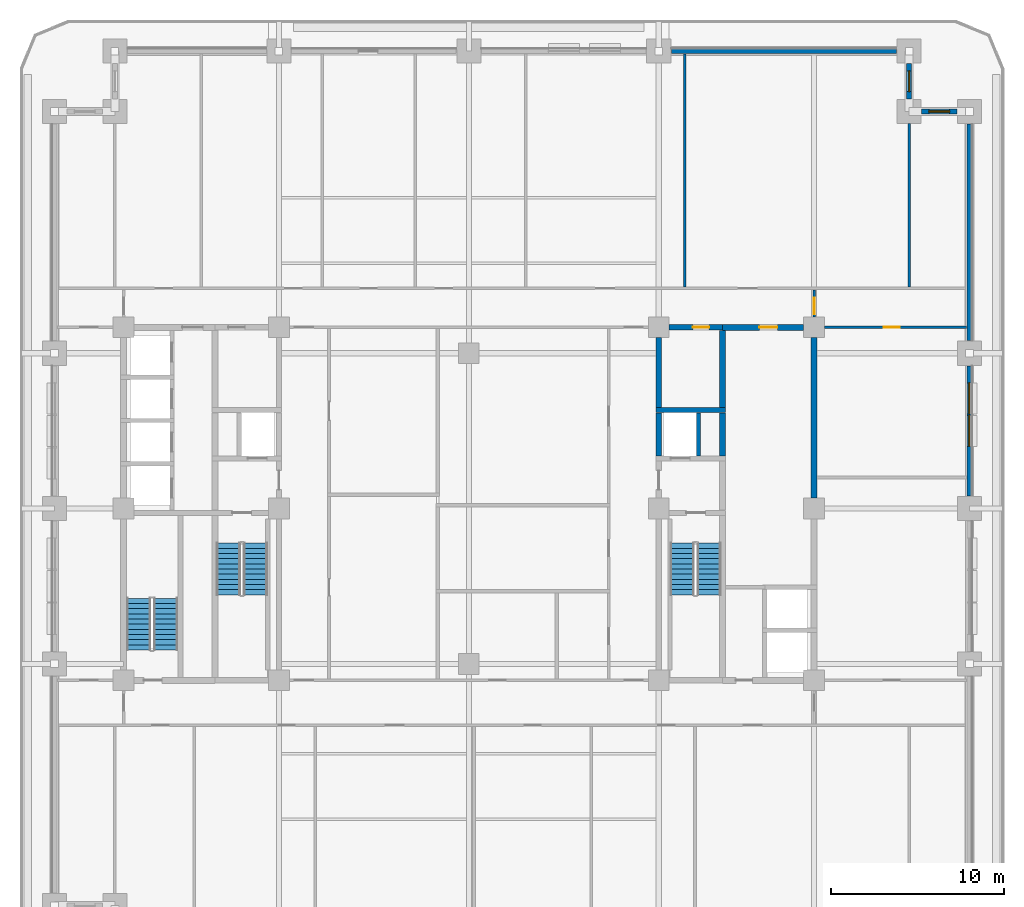
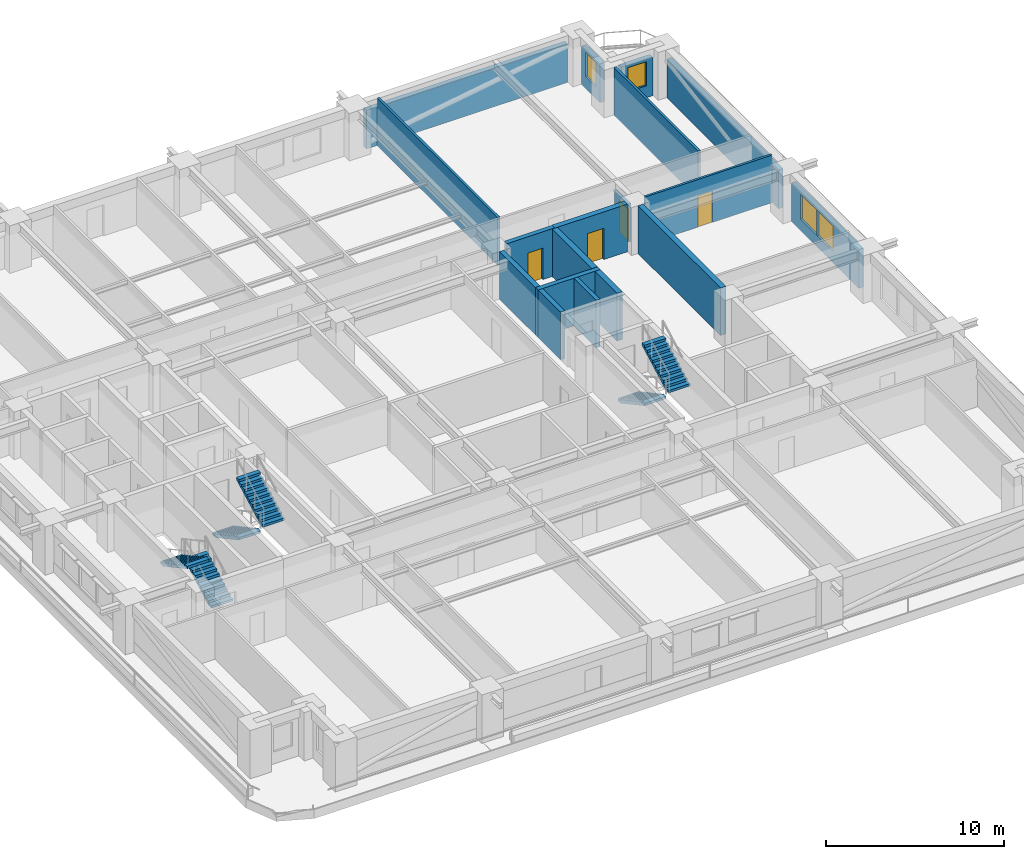
# One storey, part 6 of 14: 18 walls, 6 stair flights, 4 doors, 4 windows, 8 openings, 3 elements without a shape of their own.
"""IFC4 building model written with IfcOpenShell, lengths in metres."""

from ifc_helpers import new_model, si_unit, direction, frame, frame_2d, origin, place, context, subcontext, project, spatial, polyline, rectangle, outline, extrude, material, layer, layer_set, type_object, element, fill, aggregate, save


model = new_model("IFC4")

# Units and contexts
model_context = context("Model", 3, precision=1e-05, world=origin(), true_north=direction((0.0, 1.0)))
body_context = subcontext(model_context, "Body", "Model", "MODEL_VIEW")
ifc_project = project(units=[si_unit("LENGTHUNIT", "METRE"), si_unit("AREAUNIT", "SQUARE_METRE"), si_unit("VOLUMEUNIT", "CUBIC_METRE"), si_unit("PLANEANGLEUNIT", "RADIAN"), si_unit("MASSUNIT", "GRAM", prefix="KILO")], contexts=[model_context])

# Site, building, storey
site_placement = place(None, origin())
site = spatial("IfcSite", under=ifc_project, at=site_placement, CompositionType="ELEMENT")
building_placement = place(site_placement, origin())
building = spatial("IfcBuilding", under=site, at=building_placement, Name="Zulmaris Gate Convention Tower", CompositionType="ELEMENT")
storey_placement = place(building_placement, frame((0.0, 0.0, 30.77001953125)))
storey = spatial("IfcBuildingStorey", under=building, at=storey_placement, Name="L06", CompositionType="ELEMENT", Elevation=30.77001953125)

# Walls
ifc_material_1 = material(Name="Concrete C50/60", Category="concrete")
ifc_layer_1 = layer(ifc_material_1, 0.25, Name="Concrete C50/60")
ifc_layer_set_1 = layer_set([ifc_layer_1], Name="Concrete C50/60")
wall_type_1 = type_object("IfcWallType", Name="CORE-250", PredefinedType="SOLIDWALL", material=ifc_layer_set_1)
wall_1_placement = place(storey_placement, frame((13.300048828125, 3.052001953125, 0.0), z_axis=(0.0, 0.0, 1.0), x_axis=(0.0, 1.0, 0.0)))
element("IfcWall", 1, at=wall_1_placement, inside=storey, type_object=wall_type_1, Name="WL-L06-058", PredefinedType="SOLIDWALL", context=body_context, shape_type="SweptSolid", body=[
    extrude(rectangle(XDim=2.49609375, YDim=0.25, at=frame_2d((1.248046875, 0.0))), origin(), (0.0, 0.0, 1.0), 3.27001953125),
])
ifc_layer_2 = layer(ifc_material_1, 0.300048828125, Name="Concrete C50/60")
ifc_layer_set_2 = layer_set([ifc_layer_2], Name="Concrete C50/60")
wall_type_2 = type_object("IfcWallType", Name="CORE-300", PredefinedType="SHEAR", material=ifc_layer_set_2)
wall_2_placement = place(storey_placement, frame((10.85009765625, 5.699951171875, 0.0), z_axis=(0.0, 0.0, 1.0), x_axis=(1.0, 0.0, 0.0)))
element("IfcWall", 2, at=wall_2_placement, inside=storey, type_object=wall_type_2, Name="WL-L06-014", PredefinedType="SHEAR", context=body_context, shape_type="SweptSolid", body=[
    extrude(rectangle(XDim=4.02490234375, YDim=0.300048828125, at=frame_2d((2.012451171875, 0.0))), origin(), (0.0, 0.0, 1.0), 3.27001953125),
])

# Wall, opening, door
wall_3_placement = place(storey_placement, frame((11.60400390625, 10.5, 0.0), z_axis=(0.0, 0.0, 1.0), x_axis=(1.0, 0.0, 0.0)))
wall_3 = element("IfcWall", 3, at=wall_3_placement, inside=storey, type_object=wall_type_2, Name="WL-L06-018", PredefinedType="SHEAR", context=body_context, shape_type="SweptSolid", body=[
    extrude(rectangle(XDim=3.095947265625, YDim=0.300048828125, at=frame_2d((1.5478515625, 0.0))), origin(), (0.0, 0.0, 1.0), 3.27001953125),
])
opening_1_placement = place(wall_3_placement, frame((1.37109375, 0.0, 0.0)))
opening_1 = element("IfcOpeningElement", 4, at=opening_1_placement, cuts=wall_3, Name="Opening D-11", PredefinedType="OPENING", context=body_context, shape_type="SweptSolid", body=[
    extrude(rectangle(XDim=0.949951171875, YDim=2.14990234375, at=frame_2d((0.47509765625, 1.074951171875))), frame((0.0, 0.16015625, 0.0), z_axis=(0.0, -1.0, 0.0), x_axis=(1.0, 0.0, 0.0)), (0.0, 0.0, 1.0), 0.320068359375),
])
ifc_material_2 = material(Name="Fire-Rated Timber", Category="wood")
door_type_1 = type_object("IfcDoorType", Name="DR-950-FD", OperationType="NOTDEFINED", PredefinedType="DOOR", material=ifc_material_2)
door_1_placement = place(opening_1_placement, origin())
door_1 = element("IfcDoor", 5, at=door_1_placement, inside=storey, type_object=door_type_1, Name="L06 Core Cleaners Store Door 08", OperationType="SINGLE_SWING_LEFT", OverallHeight=2.14990234375, OverallWidth=0.949951171875, PredefinedType="DOOR", context=body_context, shape_type="SweptSolid", body=[
    extrude(rectangle(XDim=0.949951171875, YDim=2.14990234375, at=frame_2d((0.47509765625, 1.074951171875))), frame((0.0, 0.02490234375, 0.0), z_axis=(0.0, -1.0, 0.0), x_axis=(1.0, 0.0, 0.0)), (0.0, 0.0, 1.0), 0.050048828125),
])
fill(opening_1, door_1)

# Walls
wall_4_placement = place(storey_placement, frame((11.0, 3.052001953125, 0.0), z_axis=(0.0, 0.0, 1.0), x_axis=(0.0, 1.0, 0.0)))
element("IfcWall", 6, at=wall_4_placement, inside=storey, type_object=wall_type_2, Name="WL-L06-055", PredefinedType="SHEAR", context=body_context, shape_type="SweptSolid", body=[
    extrude(rectangle(XDim=2.49609375, YDim=0.300048828125, at=frame_2d((1.248046875, 0.0))), origin(), (0.0, 0.0, 1.0), 3.27001953125),
])
wall_5_placement = place(storey_placement, frame((11.0, 5.85205078125, 0.0), z_axis=(0.0, 0.0, 1.0), x_axis=(0.0, 1.0, 0.0)))
element("IfcWall", 7, at=wall_5_placement, inside=storey, type_object=wall_type_2, Name="WL-L06-056", PredefinedType="SHEAR", context=body_context, shape_type="SweptSolid", body=[
    extrude(rectangle(XDim=4.0439453125, YDim=0.300048828125, at=frame_2d((2.02197265625, 0.0))), origin(), (0.0, 0.0, 1.0), 3.27001953125),
])

# Wall, opening, door
ifc_material_3 = material(Name="Concrete C55/67", Category="concrete")
ifc_layer_3 = layer(ifc_material_3, 0.35009765625, Name="Concrete C55/67")
ifc_layer_set_3 = layer_set([ifc_layer_3], Name="Concrete C55/67")
wall_type_3 = type_object("IfcWallType", Name="CORE-350", PredefinedType="SHEAR", material=ifc_layer_set_3)
wall_6_placement = place(storey_placement, frame((14.699951171875, 10.5, 0.0), z_axis=(0.0, 0.0, 1.0), x_axis=(1.0, 0.0, 0.0)))
wall_6 = element("IfcWall", 8, at=wall_6_placement, inside=storey, type_object=wall_type_3, Name="WL-L06-019", PredefinedType="SHEAR", context=body_context, shape_type="SweptSolid", body=[
    extrude(rectangle(XDim=4.696044921875, YDim=0.35009765625, at=frame_2d((2.34814453125, 0.0))), origin(), (0.0, 0.0, 1.0), 3.27001953125),
])
opening_2_placement = place(wall_6_placement, frame((2.125, 0.0, 0.0)))
opening_2 = element("IfcOpeningElement", 9, at=opening_2_placement, cuts=wall_6, Name="Opening D-09", PredefinedType="OPENING", context=body_context, shape_type="SweptSolid", body=[
    extrude(rectangle(XDim=1.050048828125, YDim=2.14990234375, at=frame_2d((0.52490234375, 1.074951171875))), frame((0.0, 0.18505859375, 0.0), z_axis=(0.0, -1.0, 0.0), x_axis=(1.0, 0.0, 0.0)), (0.0, 0.0, 1.0), 0.3701171875),
])
ifc_material_4 = material(Name="Fire-Rated Steel", Category="steel")
door_type_2 = type_object("IfcDoorType", Name="DR-1050-FD", OperationType="NOTDEFINED", PredefinedType="DOOR", material=ifc_material_4)
door_2_placement = place(opening_2_placement, origin())
door_2 = element("IfcDoor", 10, at=door_2_placement, inside=storey, type_object=door_type_2, Name="L06 East Comms Room Door 16", OperationType="SINGLE_SWING_LEFT", OverallHeight=2.14990234375, OverallWidth=1.050048828125, PredefinedType="DOOR", context=body_context, shape_type="SweptSolid", body=[
    extrude(rectangle(XDim=1.050048828125, YDim=2.14990234375, at=frame_2d((0.52490234375, 1.074951171875))), frame((0.0, 0.02490234375, 0.0), z_axis=(0.0, -1.0, 0.0), x_axis=(1.0, 0.0, 0.0)), (0.0, 0.0, 1.0), 0.050048828125),
])
fill(opening_2, door_2)

# Walls
wall_7_placement = place(storey_placement, frame((14.699951171875, 3.052001953125, 0.0), z_axis=(0.0, 0.0, 1.0), x_axis=(0.0, 1.0, 0.0)))
element("IfcWall", 11, at=wall_7_placement, inside=storey, type_object=wall_type_3, Name="WL-L06-061", PredefinedType="SHEAR", context=body_context, shape_type="SweptSolid", body=[
    extrude(rectangle(XDim=2.49609375, YDim=0.35009765625, at=frame_2d((1.248046875, 0.0))), origin(), (0.0, 0.0, 1.0), 3.27001953125),
])
wall_8_placement = place(storey_placement, frame((14.699951171875, 5.85205078125, 0.0), z_axis=(0.0, 0.0, 1.0), x_axis=(0.0, 1.0, 0.0)))
element("IfcWall", 12, at=wall_8_placement, inside=storey, type_object=wall_type_3, Name="WL-L06-062", PredefinedType="SHEAR", context=body_context, shape_type="SweptSolid", body=[
    extrude(rectangle(XDim=4.470947265625, YDim=0.35009765625, at=frame_2d((2.2353515625, 0.0))), origin(), (0.0, 0.0, 1.0), 3.27001953125),
])
wall_9_placement = place(storey_placement, frame((20.0, 0.60400390625, 0.0), z_axis=(0.0, 0.0, 1.0), x_axis=(0.0, 1.0, 0.0)))
element("IfcWall", 13, at=wall_9_placement, inside=storey, type_object=wall_type_3, Name="WL-L06-067S1", PredefinedType="SHEAR", context=body_context, shape_type="SweptSolid", body=[
    extrude(rectangle(XDim=9.2919921875, YDim=0.35009765625, at=frame_2d((4.64599609375, 0.0))), origin(), (0.0, 0.0, 1.0), 3.27001953125),
])

# Wall, opening, door
ifc_material_5 = material(Name="Gypsum Metal Stud Partition")
ifc_layer_4 = layer(ifc_material_5, 0.14990234375, Name="Gypsum Metal Stud Partition")
ifc_layer_set_4 = layer_set([ifc_layer_4], Name="Gypsum Metal Stud Partition")
wall_type_4 = type_object("IfcWallType", Name="PART-150", PredefinedType="PARTITIONING", material=ifc_layer_set_4)
wall_10_placement = place(storey_placement, frame((20.60595703125, 10.5, 0.0), z_axis=(0.0, 0.0, 1.0), x_axis=(1.0, 0.0, 0.0)))
wall_10 = element("IfcWall", 14, at=wall_10_placement, inside=storey, type_object=wall_type_4, Name="WL-L06-031", PredefinedType="PARTITIONING", context=body_context, shape_type="SweptSolid", body=[
    extrude(rectangle(XDim=8.22900390625, YDim=0.14990234375, at=frame_2d((4.114501953125, 0.0))), origin(), (0.0, 0.0, 1.0), 3.27001953125),
])
opening_3_placement = place(wall_10_placement, frame((3.4189453125, 0.0, 0.0)))
opening_3 = element("IfcOpeningElement", 15, at=opening_3_placement, cuts=wall_10, Name="Opening D-11", PredefinedType="OPENING", context=body_context, shape_type="SweptSolid", body=[
    extrude(rectangle(XDim=0.949951171875, YDim=2.14990234375, at=frame_2d((0.47509765625, 1.074951171875))), frame((0.0, 0.0849609375, 0.0), z_axis=(0.0, -1.0, 0.0), x_axis=(1.0, 0.0, 0.0)), (0.0, 0.0, 1.0), 0.169921875),
])
door_3_placement = place(opening_3_placement, origin())
door_3 = element("IfcDoor", 16, at=door_3_placement, inside=storey, type_object=door_type_1, Name="L06 NE Partner Door 45", OperationType="SINGLE_SWING_RIGHT", OverallHeight=2.14990234375, OverallWidth=0.949951171875, PredefinedType="DOOR", context=body_context, shape_type="SweptSolid", body=[
    extrude(rectangle(XDim=0.949951171875, YDim=2.14990234375, at=frame_2d((0.47509765625, 1.074951171875))), frame((0.0, 0.02490234375, 0.0), z_axis=(0.0, -1.0, 0.0), x_axis=(1.0, 0.0, 0.0)), (0.0, 0.0, 1.0), 0.050048828125),
])
fill(opening_3, door_3)

# Wall
wall_11_placement = place(storey_placement, frame((12.5, 12.827880859375, 0.0), z_axis=(0.0, 0.0, 1.0), x_axis=(0.0, 1.0, 0.0)))
element("IfcWall", 17, at=wall_11_placement, inside=storey, type_object=wall_type_4, Name="WL-L06-090", PredefinedType="PARTITIONING", context=body_context, shape_type="SweptSolid", body=[
    extrude(rectangle(XDim=13.507080078125, YDim=0.14990234375, at=frame_2d((6.75341796875, 0.0))), origin(), (0.0, 0.0, 1.0), 3.27001953125),
])

# Wall, opening, door
wall_12_placement = place(storey_placement, frame((20.0, 11.10595703125, 0.0), z_axis=(0.0, 0.0, 1.0), x_axis=(0.0, 1.0, 0.0)))
wall_12 = element("IfcWall", 18, at=wall_12_placement, inside=storey, type_object=wall_type_4, Name="WL-L06-093", PredefinedType="PARTITIONING", context=body_context, shape_type="SweptSolid", body=[
    extrude(rectangle(XDim=1.566162109375, YDim=0.14990234375, at=frame_2d((0.783203125, 0.0))), origin(), (0.0, 0.0, 1.0), 2.610107421875),
])
opening_4_placement = place(wall_12_placement, frame((0.14990234375, 0.0, 0.0)))
opening_4 = element("IfcOpeningElement", 19, at=opening_4_placement, cuts=wall_12, Name="Opening D-11", PredefinedType="OPENING", context=body_context, shape_type="SweptSolid", body=[
    extrude(rectangle(XDim=0.949951171875, YDim=2.14990234375, at=frame_2d((0.47509765625, 1.074951171875))), frame((0.0, 0.0849609375, 0.0), z_axis=(0.0, -1.0, 0.0), x_axis=(1.0, 0.0, 0.0)), (0.0, 0.0, 1.0), 0.169921875),
])
door_4_placement = place(opening_4_placement, origin())
door_4 = element("IfcDoor", 20, at=door_4_placement, inside=storey, type_object=door_type_1, Name="L06 NE Spur Door 43", OperationType="SINGLE_SWING_RIGHT", OverallHeight=2.14990234375, OverallWidth=0.949951171875, PredefinedType="DOOR", context=body_context, shape_type="SweptSolid", body=[
    extrude(rectangle(XDim=0.949951171875, YDim=2.14990234375, at=frame_2d((0.47509765625, 1.074951171875))), frame((0.0, 0.02490234375, 0.0), z_axis=(0.0, -1.0, 0.0), x_axis=(1.0, 0.0, 0.0)), (0.0, 0.0, 1.0), 0.050048828125),
])
fill(opening_4, door_4)

# Wall
wall_13_placement = place(storey_placement, frame((25.5, 12.827880859375, 0.0), z_axis=(0.0, 0.0, 1.0), x_axis=(0.0, 1.0, 0.0)))
element("IfcWall", 21, at=wall_13_placement, inside=storey, type_object=wall_type_4, Name="WL-L06-095", PredefinedType="PARTITIONING", context=body_context, shape_type="SweptSolid", body=[
    extrude(rectangle(XDim=9.466064453125, YDim=0.14990234375, at=frame_2d((4.73291015625, 0.0))), origin(), (0.0, 0.0, 1.0), 3.27001953125),
])

# Wall, opening, window
ifc_material_6 = material(Name="Precast concrete C40/50", Category="concrete")
ifc_layer_5 = layer(ifc_material_6, 0.300048828125, Name="Precast concrete C40/50")
ifc_layer_set_5 = layer_set([ifc_layer_5], Name="Precast concrete C40/50")
wall_type_5 = type_object("IfcWallType", Name="PRECAST-PIER-300", PredefinedType="STANDARD", material=ifc_layer_set_5)
wall_14_placement = place(storey_placement, frame((28.27001953125, 23.0, 0.0), z_axis=(0.0, 0.0, 1.0), x_axis=(-1.0, 0.0, 0.0)))
wall_14 = element("IfcWall", 22, at=wall_14_placement, inside=storey, type_object=wall_type_5, Name="EW-L06-NOTCH-NE1_0", PredefinedType="STANDARD", context=body_context, shape_type="SweptSolid", body=[
    extrude(rectangle(XDim=2.0400390625, YDim=0.300048828125, at=frame_2d((1.02001953125, 0.0))), origin(), (0.0, 0.0, 1.0), 2.662109375),
])
opening_5_placement = place(wall_14_placement, frame((0.419921875, 0.0, 0.820068359375)))
opening_5 = element("IfcOpeningElement", 23, at=opening_5_placement, cuts=wall_14, Name="Opening W-04", PredefinedType="OPENING", context=body_context, shape_type="SweptSolid", body=[
    extrude(rectangle(XDim=1.199951171875, YDim=1.64990234375, at=frame_2d((0.60009765625, 0.824951171875))), frame((0.0, 0.16015625, 0.0), z_axis=(0.0, -1.0, 0.0), x_axis=(1.0, 0.0, 0.0)), (0.0, 0.0, 1.0), 0.320068359375),
])
ifc_material_7 = material(Name="Low-E Laminated Double Glazing in Aluminium Frame", Category="aluminium")
window_type_1 = type_object("IfcWindowType", Name="WIN-1200x2100", PartitioningType="SINGLE_PANEL", PredefinedType="WINDOW", material=ifc_material_7)
window_1_placement = place(opening_5_placement, origin())
window_1 = element("IfcWindow", 24, at=window_1_placement, inside=storey, type_object=window_type_1, Name="WN-EW-L06-NOTCH-NE1_0", OverallHeight=1.64990234375, OverallWidth=1.199951171875, PartitioningType="SINGLE_PANEL", PredefinedType="WINDOW", context=body_context, shape_type="SweptSolid", body=[
    extrude(rectangle(XDim=1.199951171875, YDim=1.64990234375, at=frame_2d((0.60009765625, 0.824951171875))), frame((0.0, 0.030029296875, 0.0), z_axis=(0.0, -1.0, 0.0), x_axis=(1.0, 0.0, 0.0)), (0.0, 0.0, 1.0), 0.06005859375),
])
fill(opening_5, window_1)

wall_15_placement = place(storey_placement, frame((25.5, 23.72998046875, 0.0), z_axis=(0.0, 0.0, 1.0), x_axis=(0.0, 1.0, 0.0)))
wall_15 = element("IfcWall", 25, at=wall_15_placement, inside=storey, type_object=wall_type_5, Name="EW-L06-NOTCH-NE2_0", PredefinedType="STANDARD", context=body_context, shape_type="SweptSolid", body=[
    extrude(rectangle(XDim=2.0400390625, YDim=0.300048828125, at=frame_2d((1.02001953125, 0.0))), origin(), (0.0, 0.0, 1.0), 2.662109375),
])
opening_6_placement = place(wall_15_placement, frame((0.419921875, 0.0, 0.820068359375)))
opening_6 = element("IfcOpeningElement", 26, at=opening_6_placement, cuts=wall_15, Name="Opening W-04", PredefinedType="OPENING", context=body_context, shape_type="SweptSolid", body=[
    extrude(rectangle(XDim=1.199951171875, YDim=1.64990234375, at=frame_2d((0.60009765625, 0.824951171875))), frame((0.0, 0.16015625, 0.0), z_axis=(0.0, -1.0, 0.0), x_axis=(1.0, 0.0, 0.0)), (0.0, 0.0, 1.0), 0.320068359375),
])
window_2_placement = place(opening_6_placement, origin())
window_2 = element("IfcWindow", 27, at=window_2_placement, inside=storey, type_object=window_type_1, Name="WN-EW-L06-NOTCH-NE2_0", OverallHeight=1.64990234375, OverallWidth=1.199951171875, PartitioningType="SINGLE_PANEL", PredefinedType="WINDOW", context=body_context, shape_type="SweptSolid", body=[
    extrude(rectangle(XDim=1.199951171875, YDim=1.64990234375, at=frame_2d((0.60009765625, 0.824951171875))), frame((0.0, 0.030029296875, 0.0), z_axis=(0.0, -1.0, 0.0), x_axis=(1.0, 0.0, 0.0)), (0.0, 0.0, 1.0), 0.06005859375),
])
fill(opening_6, window_2)

# Wall
wall_16_placement = place(storey_placement, frame((24.77001953125, 26.5, 0.0), z_axis=(0.0, 0.0, 1.0), x_axis=(-1.0, 0.0, 0.0)))
element("IfcWall", 28, at=wall_16_placement, inside=storey, type_object=wall_type_5, Name="EW-L06-N-3_0", PredefinedType="STANDARD", context=body_context, shape_type="SweptSolid", body=[
    extrude(rectangle(XDim=13.0400390625, YDim=0.300048828125, at=frame_2d((6.52001953125, 0.0))), origin(), (0.0, 0.0, 1.0), 2.662109375),
])

# Wall, openings, windows
wall_17_placement = place(storey_placement, frame((29.0, 0.72998046875, 0.0), z_axis=(0.0, 0.0, 1.0), x_axis=(0.0, 1.0, 0.0)))
wall_17 = element("IfcWall", 29, at=wall_17_placement, inside=storey, type_object=wall_type_5, Name="EW-L06-E-2_0", PredefinedType="STANDARD", context=body_context, shape_type="SweptSolid", body=[
    extrude(rectangle(XDim=7.5400390625, YDim=0.300048828125, at=frame_2d((3.77001953125, 0.0))), origin(), (0.0, 0.0, 1.0), 2.662109375),
])
opening_7_placement = place(wall_17_placement, frame((2.8701171875, 0.0, 0.780029296875)))
opening_7 = element("IfcOpeningElement", 30, at=opening_7_placement, cuts=wall_17, Name="Opening W-02", PredefinedType="OPENING", context=body_context, shape_type="SweptSolid", body=[
    extrude(rectangle(XDim=1.800048828125, YDim=1.719970703125, at=frame_2d((0.89990234375, 0.85986328125))), frame((0.0, 0.16015625, 0.0), z_axis=(0.0, -1.0, 0.0), x_axis=(1.0, 0.0, 0.0)), (0.0, 0.0, 1.0), 0.320068359375),
])
opening_8_placement = place(wall_17_placement, frame((4.7548828125, 0.0, 0.780029296875)))
opening_8 = element("IfcOpeningElement", 31, at=opening_8_placement, cuts=wall_17, Name="Opening W-02", PredefinedType="OPENING", context=body_context, shape_type="SweptSolid", body=[
    extrude(rectangle(XDim=1.800048828125, YDim=1.719970703125, at=frame_2d((0.89990234375, 0.85986328125))), frame((0.0, 0.16015625, 0.0), z_axis=(0.0, -1.0, 0.0), x_axis=(1.0, 0.0, 0.0)), (0.0, 0.0, 1.0), 0.320068359375),
])
window_type_2 = type_object("IfcWindowType", Name="WIN-1800x2200", PartitioningType="SINGLE_PANEL", PredefinedType="WINDOW", material=ifc_material_7)
window_3_placement = place(opening_7_placement, origin())
window_3 = element("IfcWindow", 32, at=window_3_placement, inside=storey, type_object=window_type_2, Name="WN-EW-L06-E-2_0-2", OverallHeight=1.719970703125, OverallWidth=1.800048828125, PartitioningType="SINGLE_PANEL", PredefinedType="WINDOW", context=body_context, shape_type="SweptSolid", body=[
    extrude(rectangle(XDim=1.800048828125, YDim=1.719970703125, at=frame_2d((0.89990234375, 0.85986328125))), frame((0.0, 0.030029296875, 0.0), z_axis=(0.0, -1.0, 0.0), x_axis=(1.0, 0.0, 0.0)), (0.0, 0.0, 1.0), 0.06005859375),
])
fill(opening_7, window_3)
window_4_placement = place(opening_8_placement, origin())
window_4 = element("IfcWindow", 33, at=window_4_placement, inside=storey, type_object=window_type_2, Name="WN-EW-L06-E-2_0-3", OverallHeight=1.719970703125, OverallWidth=1.800048828125, PartitioningType="SINGLE_PANEL", PredefinedType="WINDOW", context=body_context, shape_type="SweptSolid", body=[
    extrude(rectangle(XDim=1.800048828125, YDim=1.719970703125, at=frame_2d((0.89990234375, 0.85986328125))), frame((0.0, 0.030029296875, 0.0), z_axis=(0.0, -1.0, 0.0), x_axis=(1.0, 0.0, 0.0)), (0.0, 0.0, 1.0), 0.06005859375),
])
fill(opening_8, window_4)

# Wall
wall_18_placement = place(storey_placement, frame((29.0, 9.72998046875, 0.0), z_axis=(0.0, 0.0, 1.0), x_axis=(0.0, 1.0, 0.0)))
element("IfcWall", 34, at=wall_18_placement, inside=storey, type_object=wall_type_5, Name="EW-L06-E-3_0", PredefinedType="STANDARD", context=body_context, shape_type="SweptSolid", body=[
    extrude(rectangle(XDim=12.5400390625, YDim=0.300048828125, at=frame_2d((6.27001953125, 0.0))), origin(), (0.0, 0.0, 1.0), 2.662109375),
])

# Stair, stair flights
ifc_material_8 = material(Name="Concrete C45/55", Category="concrete")
stair_type = type_object("IfcStairType", Name="ST-CORE-DOGLEG", PredefinedType="HALF_TURN_STAIR", material=ifc_material_8)
stair_1_placement = place(storey_placement, origin())
stair_1 = element("IfcStair", 35, at=stair_1_placement, inside=storey, type_object=stair_type, Name="L06 Core Exit Stair ST-1", PredefinedType="HALF_TURN_STAIR")
ifc_layer_6 = layer(ifc_material_8, 0.14990234375, Name="Concrete C45/55")
ifc_layer_set_6 = layer_set([ifc_layer_6], Name="Concrete C45/55")
stair_flight_type = type_object("IfcStairFlightType", Name="STF-RC150", PredefinedType="STRAIGHT", material=ifc_layer_set_6)
stair_flight_1_placement = place(storey_placement, frame((-13.919921875, -2.0, 0.0), z_axis=(0.0, 0.0, 1.0), x_axis=(0.0, -1.0, 0.0)))
stair_flight_1 = element("IfcStairFlight", 36, at=stair_flight_1_placement, type_object=stair_flight_type, Name="ST-1 flight 1", NumberOfRisers=11, NumberOfTreads=10, PredefinedType="STRAIGHT", RiserHeight=0.162277273, TreadLength=0.3, context=body_context, shape_type="SweptSolid", body=[
    extrude(outline(polyline([(0.0, 0.0), (0.0, 0.162353515625), (0.300048828125, 0.162353515625), (0.300048828125, 0.324462890625), (0.60009765625, 0.324462890625), (0.60009765625, 0.48681640625), (0.89990234375, 0.48681640625), (0.89990234375, 0.649169921875), (1.199951171875, 0.649169921875), (1.199951171875, 0.811279296875), (1.5, 0.811279296875), (1.5, 0.9736328125), (1.800048828125, 0.9736328125), (1.800048828125, 1.135986328125), (2.10009765625, 1.135986328125), (2.10009765625, 1.29833984375), (2.39990234375, 1.29833984375), (2.39990234375, 1.46044921875), (2.699951171875, 1.46044921875), (2.699951171875, 1.622802734375), (3.0, 1.622802734375), (3.0, 1.78515625), (3.0, 1.452392578125), (0.315185546875, 0.0), (0.0, 0.0)])), frame((0.0, 0.699951171875, 0.0), z_axis=(0.0, -1.0, 0.0), x_axis=(1.0, 0.0, 0.0)), (0.0, 0.0, 1.0), 1.39990234375),
])
stair_flight_2_placement = place(storey_placement, frame((-12.360107421875, -5.0, 1.784912109375), z_axis=(0.0, 0.0, 1.0), x_axis=(0.0, 1.0, 0.0)))
stair_flight_2 = element("IfcStairFlight", 37, at=stair_flight_2_placement, type_object=stair_flight_type, Name="ST-1 flight 2", NumberOfRisers=11, NumberOfTreads=10, PredefinedType="STRAIGHT", RiserHeight=0.162277273, TreadLength=0.3, context=body_context, shape_type="SweptSolid", body=[
    extrude(outline(polyline([(0.0, 0.0), (0.0, 0.162353515625), (0.300048828125, 0.162353515625), (0.300048828125, 0.324462890625), (0.60009765625, 0.324462890625), (0.60009765625, 0.48681640625), (0.89990234375, 0.48681640625), (0.89990234375, 0.649169921875), (1.199951171875, 0.649169921875), (1.199951171875, 0.811279296875), (1.5, 0.811279296875), (1.5, 0.9736328125), (1.800048828125, 0.9736328125), (1.800048828125, 1.135986328125), (2.10009765625, 1.135986328125), (2.10009765625, 1.29833984375), (2.39990234375, 1.29833984375), (2.39990234375, 1.46044921875), (2.699951171875, 1.46044921875), (2.699951171875, 1.622802734375), (3.0, 1.622802734375), (3.0, 1.78515625), (3.0, 1.452392578125), (0.315185546875, 0.0), (0.0, 0.0)])), frame((0.0, 0.699951171875, 0.0), z_axis=(0.0, -1.0, 0.0), x_axis=(1.0, 0.0, 0.0)), (0.0, 0.0, 1.0), 1.39990234375),
])
aggregate(stair_1, [stair_flight_1, stair_flight_2])

stair_2_placement = place(storey_placement, origin())
stair_2 = element("IfcStair", 38, at=stair_2_placement, inside=storey, type_object=stair_type, Name="L06 Core Exit Stair ST-2", PredefinedType="HALF_TURN_STAIR")
stair_flight_3_placement = place(storey_placement, frame((12.360107421875, -2.0, 0.0), z_axis=(0.0, 0.0, 1.0), x_axis=(0.0, -1.0, 0.0)))
stair_flight_3 = element("IfcStairFlight", 39, at=stair_flight_3_placement, type_object=stair_flight_type, Name="ST-2 flight 1", NumberOfRisers=11, NumberOfTreads=10, PredefinedType="STRAIGHT", RiserHeight=0.162277273, TreadLength=0.3, context=body_context, shape_type="SweptSolid", body=[
    extrude(outline(polyline([(0.0, 0.0), (0.0, 0.162353515625), (0.300048828125, 0.162353515625), (0.300048828125, 0.324462890625), (0.60009765625, 0.324462890625), (0.60009765625, 0.48681640625), (0.89990234375, 0.48681640625), (0.89990234375, 0.649169921875), (1.199951171875, 0.649169921875), (1.199951171875, 0.811279296875), (1.5, 0.811279296875), (1.5, 0.9736328125), (1.800048828125, 0.9736328125), (1.800048828125, 1.135986328125), (2.10009765625, 1.135986328125), (2.10009765625, 1.29833984375), (2.39990234375, 1.29833984375), (2.39990234375, 1.46044921875), (2.699951171875, 1.46044921875), (2.699951171875, 1.622802734375), (3.0, 1.622802734375), (3.0, 1.78515625), (3.0, 1.452392578125), (0.315185546875, 0.0), (0.0, 0.0)])), frame((0.0, 0.699951171875, 0.0), z_axis=(0.0, -1.0, 0.0), x_axis=(1.0, 0.0, 0.0)), (0.0, 0.0, 1.0), 1.39990234375),
])
stair_flight_4_placement = place(storey_placement, frame((13.919921875, -5.0, 1.784912109375), z_axis=(0.0, 0.0, 1.0), x_axis=(0.0, 1.0, 0.0)))
stair_flight_4 = element("IfcStairFlight", 40, at=stair_flight_4_placement, type_object=stair_flight_type, Name="ST-2 flight 2", NumberOfRisers=11, NumberOfTreads=10, PredefinedType="STRAIGHT", RiserHeight=0.162277273, TreadLength=0.3, context=body_context, shape_type="SweptSolid", body=[
    extrude(outline(polyline([(0.0, 0.0), (0.0, 0.162353515625), (0.300048828125, 0.162353515625), (0.300048828125, 0.324462890625), (0.60009765625, 0.324462890625), (0.60009765625, 0.48681640625), (0.89990234375, 0.48681640625), (0.89990234375, 0.649169921875), (1.199951171875, 0.649169921875), (1.199951171875, 0.811279296875), (1.5, 0.811279296875), (1.5, 0.9736328125), (1.800048828125, 0.9736328125), (1.800048828125, 1.135986328125), (2.10009765625, 1.135986328125), (2.10009765625, 1.29833984375), (2.39990234375, 1.29833984375), (2.39990234375, 1.46044921875), (2.699951171875, 1.46044921875), (2.699951171875, 1.622802734375), (3.0, 1.622802734375), (3.0, 1.78515625), (3.0, 1.452392578125), (0.315185546875, 0.0), (0.0, 0.0)])), frame((0.0, 0.699951171875, 0.0), z_axis=(0.0, -1.0, 0.0), x_axis=(1.0, 0.0, 0.0)), (0.0, 0.0, 1.0), 1.39990234375),
])
aggregate(stair_2, [stair_flight_3, stair_flight_4])

stair_3_placement = place(storey_placement, origin())
stair_3 = element("IfcStair", 41, at=stair_3_placement, inside=storey, type_object=stair_type, Name="L06 Core Exit Stair ST-3", PredefinedType="HALF_TURN_STAIR")
stair_flight_5_placement = place(storey_placement, frame((-17.56005859375, -8.199951171875, 0.0), z_axis=(0.0, 0.0, 1.0), x_axis=(0.0, 1.0, 0.0)))
stair_flight_5 = element("IfcStairFlight", 42, at=stair_flight_5_placement, type_object=stair_flight_type, Name="ST-3 flight 1", NumberOfRisers=11, NumberOfTreads=10, PredefinedType="STRAIGHT", RiserHeight=0.162277273, TreadLength=0.3, context=body_context, shape_type="SweptSolid", body=[
    extrude(outline(polyline([(0.0, 0.0), (0.0, 0.162353515625), (0.300048828125, 0.162353515625), (0.300048828125, 0.324462890625), (0.60009765625, 0.324462890625), (0.60009765625, 0.48681640625), (0.89990234375, 0.48681640625), (0.89990234375, 0.649169921875), (1.199951171875, 0.649169921875), (1.199951171875, 0.811279296875), (1.5, 0.811279296875), (1.5, 0.9736328125), (1.800048828125, 0.9736328125), (1.800048828125, 1.135986328125), (2.10009765625, 1.135986328125), (2.10009765625, 1.29833984375), (2.39990234375, 1.29833984375), (2.39990234375, 1.46044921875), (2.699951171875, 1.46044921875), (2.699951171875, 1.622802734375), (3.0, 1.622802734375), (3.0, 1.78515625), (3.0, 1.452392578125), (0.315185546875, 0.0), (0.0, 0.0)])), frame((0.0, 0.699951171875, 0.0), z_axis=(0.0, -1.0, 0.0), x_axis=(1.0, 0.0, 0.0)), (0.0, 0.0, 1.0), 1.39990234375),
])
stair_flight_6_placement = place(storey_placement, frame((-19.1201171875, -5.199951171875, 1.784912109375), z_axis=(0.0, 0.0, 1.0), x_axis=(0.0, -1.0, 0.0)))
stair_flight_6 = element("IfcStairFlight", 43, at=stair_flight_6_placement, type_object=stair_flight_type, Name="ST-3 flight 2", NumberOfRisers=11, NumberOfTreads=10, PredefinedType="STRAIGHT", RiserHeight=0.162277273, TreadLength=0.3, context=body_context, shape_type="SweptSolid", body=[
    extrude(outline(polyline([(0.0, 0.0), (0.0, 0.162353515625), (0.300048828125, 0.162353515625), (0.300048828125, 0.324462890625), (0.60009765625, 0.324462890625), (0.60009765625, 0.48681640625), (0.89990234375, 0.48681640625), (0.89990234375, 0.649169921875), (1.199951171875, 0.649169921875), (1.199951171875, 0.811279296875), (1.5, 0.811279296875), (1.5, 0.9736328125), (1.800048828125, 0.9736328125), (1.800048828125, 1.135986328125), (2.10009765625, 1.135986328125), (2.10009765625, 1.29833984375), (2.39990234375, 1.29833984375), (2.39990234375, 1.46044921875), (2.699951171875, 1.46044921875), (2.699951171875, 1.622802734375), (3.0, 1.622802734375), (3.0, 1.78515625), (3.0, 1.452392578125), (0.315185546875, 0.0), (0.0, 0.0)])), frame((0.0, 0.699951171875, 0.0), z_axis=(0.0, -1.0, 0.0), x_axis=(1.0, 0.0, 0.0)), (0.0, 0.0, 1.0), 1.39990234375),
])
aggregate(stair_3, [stair_flight_5, stair_flight_6])

save(model, "model.ifc")
